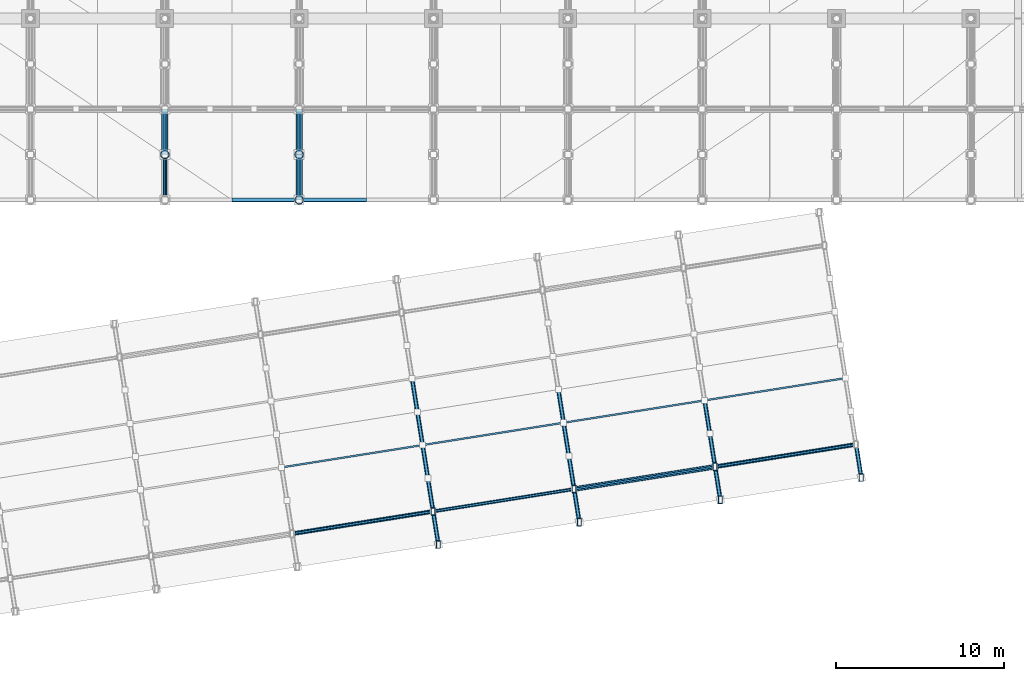
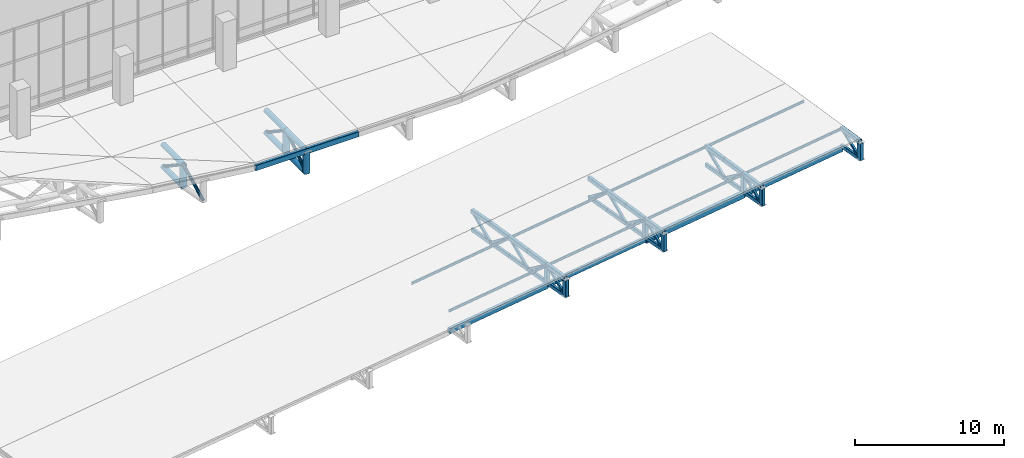
# One storey, part 21 of 137: 67 members, 5 beams.
"""IFC4 building model written with IfcOpenShell, lengths in metres."""

from ifc_helpers import new_model, si_unit, direction, frame, origin, origin_2d, place, context, subcontext, project, spatial, hollow_rectangle, hollow_circle, i_section, extrude, material, material_profile, profile_set, type_object, element, save


model = new_model("IFC4")

# Units and contexts
model_context = context("Model", 3, precision=1e-05, world=origin(), true_north=direction((0.0, 1.0)))
body_context = subcontext(model_context, "Body", "Model", "MODEL_VIEW")
ifc_project = project(units=[si_unit("LENGTHUNIT", "METRE"), si_unit("AREAUNIT", "SQUARE_METRE"), si_unit("VOLUMEUNIT", "CUBIC_METRE"), si_unit("PLANEANGLEUNIT", "RADIAN"), si_unit("MASSUNIT", "GRAM", prefix="KILO")], contexts=[model_context])

# Site, building, storey
site_placement = place(None, origin())
site = spatial("IfcSite", under=ifc_project, at=site_placement, CompositionType="ELEMENT")
building_placement = place(site_placement, origin())
building = spatial("IfcBuilding", under=site, at=building_placement, Name="Khorjan Park Terminus", CompositionType="ELEMENT")
storey_placement = place(building_placement, frame((0.0, 0.0, 11.4)))
storey = spatial("IfcBuildingStorey", under=building, at=storey_placement, Name="L02", CompositionType="ELEMENT", Elevation=11.4)

# Members
ifc_material = material(Name="Steel S355", Category="steel")
ifc_material_profile_1 = material_profile(ifc_material, hollow_rectangle(XDim=0.18, YDim=0.18, WallThickness=0.01, InnerFilletRadius=0.01, OuterFilletRadius=0.02, at=origin_2d()), Name="SHS 180x180x10")
ifc_profile_set_1 = profile_set([ifc_material_profile_1], Name="Steel S355")
member_type_1 = type_object("IfcMemberType", Name="MB-BR-SHS180E", PredefinedType="BRACE", material=ifc_profile_set_1)
member_1_placement = place(storey_placement, frame((96.2896, -5.3269, -2.0), z_axis=(-0.126923459014, 0.801549235728, 0.584302368861), x_axis=(-0.987693950393, -0.156399042059, 0.0)))
element("IfcMember", 1, at=member_1_placement, inside=storey, type_object=member_type_1, Name="Arrival canopy flat truss web brace TB-S18 (6)", PredefinedType="BRACE", context=body_context, shape_type="SweptSolid", body=[
    extrude(hollow_rectangle(XDim=0.18, YDim=0.18, WallThickness=0.01, InnerFilletRadius=0.01, OuterFilletRadius=0.02, at=origin_2d()), origin(), (0.0, 0.0, 1.0), 2.4645),
])
member_2_placement = place(storey_placement, frame((95.9768, -3.3515, -0.56), z_axis=(-0.126967511013, 0.801530599245, -0.584318363242), x_axis=(-0.987685001707, -0.156455544492, 0.0)))
element("IfcMember", 2, at=member_2_placement, inside=storey, type_object=member_type_1, Name="Arrival canopy flat truss web brace TB-S18 (6)", PredefinedType="BRACE", context=body_context, shape_type="SweptSolid", body=[
    extrude(hollow_rectangle(XDim=0.18, YDim=0.18, WallThickness=0.01, InnerFilletRadius=0.01, OuterFilletRadius=0.02, at=origin_2d()), origin(), (0.0, 0.0, 1.0), 2.4644),
])
for number, where, z_axis, x_axis, name in (
    (3, (95.6639, -1.3762, -2.0), (-0.124558474158, 0.786362447589, 0.605077918566), (-0.987686225577, -0.156447818155, 0.0), "Arrival canopy flat truss web brace TB-S18 (6)"),
    (4, (95.351, 0.5992, -0.48), (-0.124558474158, 0.786362447589, -0.605077918566), (-0.987686225577, -0.156447818155, 0.0), "Arrival canopy flat truss web brace TB-S18 (6)"),
    (5, (95.0381, 2.5746, -2.0), (-0.124519283718, 0.78636634609, 0.605080918324), (-0.987693950393, -0.156399042059, 0.0), "Arrival canopy flat truss web brace TB-S18 (6)"),
):
    element("IfcMember", number, at=place(storey_placement, frame(where, z_axis=z_axis, x_axis=x_axis)), inside=storey, type_object=member_type_1, Name=name, PredefinedType="BRACE", context=body_context, shape_type="SweptSolid", body=[
        extrude(hollow_rectangle(XDim=0.18, YDim=0.18, WallThickness=0.01, InnerFilletRadius=0.01, OuterFilletRadius=0.02, at=origin_2d()), origin(), (0.0, 0.0, 1.0), 2.5121),
    ])
member_3_placement = place(storey_placement, frame((104.685, -3.9972, -2.0), z_axis=(-0.126963381588, 0.801545107028, 0.584299359178), x_axis=(-0.987686225577, -0.156447818155, 0.0)))
element("IfcMember", 6, at=member_3_placement, inside=storey, type_object=member_type_1, Name="Arrival canopy flat truss web brace TB-S18 (7)", PredefinedType="BRACE", context=body_context, shape_type="SweptSolid", body=[
    extrude(hollow_rectangle(XDim=0.18, YDim=0.18, WallThickness=0.01, InnerFilletRadius=0.01, OuterFilletRadius=0.02, at=origin_2d()), origin(), (0.0, 0.0, 1.0), 2.4645),
])
member_4_placement = place(storey_placement, frame((104.3721, -2.0218, -0.56), z_axis=(-0.126967511013, 0.801530599245, -0.584318363242), x_axis=(-0.987685001707, -0.156455544492, 0.0)))
element("IfcMember", 7, at=member_4_placement, inside=storey, type_object=member_type_1, Name="Arrival canopy flat truss web brace TB-S18 (7)", PredefinedType="BRACE", context=body_context, shape_type="SweptSolid", body=[
    extrude(hollow_rectangle(XDim=0.18, YDim=0.18, WallThickness=0.01, InnerFilletRadius=0.01, OuterFilletRadius=0.02, at=origin_2d()), origin(), (0.0, 0.0, 1.0), 2.4644),
])
for number, where, z_axis, x_axis, name in (
    (8, (104.0592, -0.0465, -2.0), (-0.124519283718, 0.78636634609, 0.605080918324), (-0.987693950393, -0.156399042059, 0.0), "Arrival canopy flat truss web brace TB-S18 (7)"),
    (9, (103.7464, 1.9289, -0.48), (-0.124558474158, 0.786362447589, -0.605077918566), (-0.987686225577, -0.156447818155, 0.0), "Arrival canopy flat truss web brace TB-S18 (7)"),
):
    element("IfcMember", number, at=place(storey_placement, frame(where, z_axis=z_axis, x_axis=x_axis)), inside=storey, type_object=member_type_1, Name=name, PredefinedType="BRACE", context=body_context, shape_type="SweptSolid", body=[
        extrude(hollow_rectangle(XDim=0.18, YDim=0.18, WallThickness=0.01, InnerFilletRadius=0.01, OuterFilletRadius=0.02, at=origin_2d()), origin(), (0.0, 0.0, 1.0), 2.5121),
    ])
member_5_placement = place(storey_placement, frame((113.0803, -2.6675, -2.0), z_axis=(-0.126923459014, 0.801549235728, 0.584302368861), x_axis=(-0.987693950393, -0.156399042059, 0.0)))
element("IfcMember", 10, at=member_5_placement, inside=storey, type_object=member_type_1, Name="Arrival canopy flat truss web brace TB-S18 (8)", PredefinedType="BRACE", context=body_context, shape_type="SweptSolid", body=[
    extrude(hollow_rectangle(XDim=0.18, YDim=0.18, WallThickness=0.01, InnerFilletRadius=0.01, OuterFilletRadius=0.02, at=origin_2d()), origin(), (0.0, 0.0, 1.0), 2.4645),
])
member_6_placement = place(storey_placement, frame((112.7675, -0.6921, -0.56), z_axis=(-0.126967511013, 0.801530599245, -0.584318363242), x_axis=(-0.987685001707, -0.156455544492, 0.0)))
element("IfcMember", 11, at=member_6_placement, inside=storey, type_object=member_type_1, Name="Arrival canopy flat truss web brace TB-S18 (8)", PredefinedType="BRACE", context=body_context, shape_type="SweptSolid", body=[
    extrude(hollow_rectangle(XDim=0.18, YDim=0.18, WallThickness=0.01, InnerFilletRadius=0.01, OuterFilletRadius=0.02, at=origin_2d()), origin(), (0.0, 0.0, 1.0), 2.4644),
])
member_7_placement = place(storey_placement, frame((112.4546, 1.2832, -2.0), z_axis=(-0.124558474158, 0.786362447589, 0.605077918566), x_axis=(-0.987686225577, -0.156447818155, 0.0)))
element("IfcMember", 12, at=member_7_placement, inside=storey, type_object=member_type_1, Name="Arrival canopy flat truss web brace TB-S18 (8)", PredefinedType="BRACE", context=body_context, shape_type="SweptSolid", body=[
    extrude(hollow_rectangle(XDim=0.18, YDim=0.18, WallThickness=0.01, InnerFilletRadius=0.01, OuterFilletRadius=0.02, at=origin_2d()), origin(), (0.0, 0.0, 1.0), 2.5121),
])
member_8_placement = place(storey_placement, frame((121.4757, -1.3378, -2.0), z_axis=(-0.126967511013, 0.801530599245, 0.584318363242), x_axis=(-0.987685001707, -0.156455544492, 0.0)))
element("IfcMember", 13, at=member_8_placement, inside=storey, type_object=member_type_1, Name="Arrival canopy flat truss web brace TB-S18 (9)", PredefinedType="BRACE", context=body_context, shape_type="SweptSolid", body=[
    extrude(hollow_rectangle(XDim=0.18, YDim=0.18, WallThickness=0.01, InnerFilletRadius=0.01, OuterFilletRadius=0.02, at=origin_2d()), origin(), (0.0, 0.0, 1.0), 2.4644),
])
ifc_material_profile_2 = material_profile(ifc_material, hollow_circle(Radius=0.1222, WallThickness=0.0125, at=origin_2d()), Name="CHS 244.5x12.5")
ifc_profile_set_2 = profile_set([ifc_material_profile_2], Name="Steel S355")
member_type_2 = type_object("IfcMemberType", Name="MB-BRE-245", PredefinedType="BRACE", material=ifc_profile_set_2)
member_9_placement = place(storey_placement, frame((80.0, 15.2, -0.9272), z_axis=(0.0, 0.898489379818, 0.438995255502), x_axis=(-1.0, 0.0, 0.0)))
element("IfcMember", 14, at=member_9_placement, inside=storey, type_object=member_type_2, Name="Lower shell cantilever truss diagonal (5S)", PredefinedType="BRACE", context=body_context, shape_type="SweptSolid", body=[
    extrude(hollow_circle(Radius=0.1222, WallThickness=0.0125, at=origin_2d()), origin(), (0.0, 0.0, 1.0), 3.005),
])
for number, where, z_axis, x_axis, name in (
    (15, (80.0, 17.9, 0.392), (0.0, 0.832050294338, -0.554700196225), (-1.0, 0.0, 0.0), "Lower shell cantilever truss diagonal (5S)"),
    (16, (88.0, 15.2, -1.408), (0.0, 0.832050294338, 0.554700196225), (-1.0, 0.0, 0.0), "Lower shell cantilever truss diagonal (6S)"),
    (17, (88.0, 17.9, 0.392), (0.0, 0.832050294338, -0.554700196225), (-1.0, 0.0, 0.0), "Lower shell cantilever truss diagonal (6S)"),
):
    element("IfcMember", number, at=place(storey_placement, frame(where, z_axis=z_axis, x_axis=x_axis)), inside=storey, type_object=member_type_2, Name=name, PredefinedType="BRACE", context=body_context, shape_type="SweptSolid", body=[
        extrude(hollow_circle(Radius=0.1222, WallThickness=0.0125, at=origin_2d()), origin(), (0.0, 0.0, 1.0), 3.245),
    ])
ifc_material_profile_3 = material_profile(ifc_material, hollow_rectangle(XDim=0.2, YDim=0.3, WallThickness=0.0125, InnerFilletRadius=0.0125, OuterFilletRadius=0.025, at=origin_2d()), Name="RHS 300x200x12.5")
ifc_profile_set_3 = profile_set([ifc_material_profile_3], Name="Steel S355")
member_type_3 = type_object("IfcMemberType", Name="MB-CH-RHS300E", PredefinedType="CHORD", material=ifc_profile_set_3)
member_10_placement = place(storey_placement, frame((96.2896, -5.3269, -2.0), z_axis=(-0.156399042059, 0.987693950393, 0.0), x_axis=(-0.987693950393, -0.156399042059, 0.0)))
element("IfcMember", 18, at=member_10_placement, inside=storey, type_object=member_type_3, Name="Arrival canopy flat truss bottom chord TC-R30 (6)", PredefinedType="CHORD", context=body_context, shape_type="SweptSolid", body=[
    extrude(hollow_rectangle(XDim=0.2, YDim=0.3, WallThickness=0.0125, InnerFilletRadius=0.0125, OuterFilletRadius=0.025, at=origin_2d()), origin(), (0.0, 0.0, 1.0), 2.0),
])
member_11_placement = place(storey_placement, frame((95.9768, -3.3515, -2.0), z_axis=(-0.156455544492, 0.987685001707, 0.0), x_axis=(-0.987685001707, -0.156455544492, 0.0)))
element("IfcMember", 19, at=member_11_placement, inside=storey, type_object=member_type_3, Name="Arrival canopy flat truss bottom chord TC-R30 (6)", PredefinedType="CHORD", context=body_context, shape_type="SweptSolid", body=[
    extrude(hollow_rectangle(XDim=0.2, YDim=0.3, WallThickness=0.0125, InnerFilletRadius=0.0125, OuterFilletRadius=0.025, at=origin_2d()), origin(), (0.0, 0.0, 1.0), 1.9999),
])
for number, where, z_axis, x_axis, name in (
    (20, (95.6639, -1.3762, -2.0), (-0.156447818155, 0.987686225577, 0.0), (-0.987686225577, -0.156447818155, 0.0), "Arrival canopy flat truss bottom chord TC-R30 (6)"),
    (21, (95.351, 0.5992, -2.0), (-0.156447818155, 0.987686225577, 0.0), (-0.987686225577, -0.156447818155, 0.0), "Arrival canopy flat truss bottom chord TC-R30 (6)"),
    (22, (95.0381, 2.5746, -2.0), (-0.156399042059, 0.987693950393, 0.0), (-0.987693950393, -0.156399042059, 0.0), "Arrival canopy flat truss bottom chord TC-R30 (6)"),
    (23, (104.685, -3.9972, -2.0), (-0.156447818155, 0.987686225577, 0.0), (-0.987686225577, -0.156447818155, 0.0), "Arrival canopy flat truss bottom chord TC-R30 (7)"),
):
    element("IfcMember", number, at=place(storey_placement, frame(where, z_axis=z_axis, x_axis=x_axis)), inside=storey, type_object=member_type_3, Name=name, PredefinedType="CHORD", context=body_context, shape_type="SweptSolid", body=[
        extrude(hollow_rectangle(XDim=0.2, YDim=0.3, WallThickness=0.0125, InnerFilletRadius=0.0125, OuterFilletRadius=0.025, at=origin_2d()), origin(), (0.0, 0.0, 1.0), 2.0),
    ])
member_12_placement = place(storey_placement, frame((104.3721, -2.0218, -2.0), z_axis=(-0.156455544492, 0.987685001707, 0.0), x_axis=(-0.987685001707, -0.156455544492, 0.0)))
element("IfcMember", 24, at=member_12_placement, inside=storey, type_object=member_type_3, Name="Arrival canopy flat truss bottom chord TC-R30 (7)", PredefinedType="CHORD", context=body_context, shape_type="SweptSolid", body=[
    extrude(hollow_rectangle(XDim=0.2, YDim=0.3, WallThickness=0.0125, InnerFilletRadius=0.0125, OuterFilletRadius=0.025, at=origin_2d()), origin(), (0.0, 0.0, 1.0), 1.9999),
])
for number, where, z_axis, x_axis, name in (
    (25, (104.0592, -0.0465, -2.0), (-0.156399042059, 0.987693950393, 0.0), (-0.987693950393, -0.156399042059, 0.0), "Arrival canopy flat truss bottom chord TC-R30 (7)"),
    (26, (103.7464, 1.9289, -2.0), (-0.156447818155, 0.987686225577, 0.0), (-0.987686225577, -0.156447818155, 0.0), "Arrival canopy flat truss bottom chord TC-R30 (7)"),
    (27, (113.0803, -2.6675, -2.0), (-0.156399042059, 0.987693950393, 0.0), (-0.987693950393, -0.156399042059, 0.0), "Arrival canopy flat truss bottom chord TC-R30 (8)"),
):
    element("IfcMember", number, at=place(storey_placement, frame(where, z_axis=z_axis, x_axis=x_axis)), inside=storey, type_object=member_type_3, Name=name, PredefinedType="CHORD", context=body_context, shape_type="SweptSolid", body=[
        extrude(hollow_rectangle(XDim=0.2, YDim=0.3, WallThickness=0.0125, InnerFilletRadius=0.0125, OuterFilletRadius=0.025, at=origin_2d()), origin(), (0.0, 0.0, 1.0), 2.0),
    ])
member_13_placement = place(storey_placement, frame((112.7675, -0.6921, -2.0), z_axis=(-0.156455544492, 0.987685001707, 0.0), x_axis=(-0.987685001707, -0.156455544492, 0.0)))
element("IfcMember", 28, at=member_13_placement, inside=storey, type_object=member_type_3, Name="Arrival canopy flat truss bottom chord TC-R30 (8)", PredefinedType="CHORD", context=body_context, shape_type="SweptSolid", body=[
    extrude(hollow_rectangle(XDim=0.2, YDim=0.3, WallThickness=0.0125, InnerFilletRadius=0.0125, OuterFilletRadius=0.025, at=origin_2d()), origin(), (0.0, 0.0, 1.0), 1.9999),
])
member_14_placement = place(storey_placement, frame((112.4546, 1.2832, -2.0), z_axis=(-0.156447818155, 0.987686225577, 0.0), x_axis=(-0.987686225577, -0.156447818155, 0.0)))
element("IfcMember", 29, at=member_14_placement, inside=storey, type_object=member_type_3, Name="Arrival canopy flat truss bottom chord TC-R30 (8)", PredefinedType="CHORD", context=body_context, shape_type="SweptSolid", body=[
    extrude(hollow_rectangle(XDim=0.2, YDim=0.3, WallThickness=0.0125, InnerFilletRadius=0.0125, OuterFilletRadius=0.025, at=origin_2d()), origin(), (0.0, 0.0, 1.0), 2.0),
])
member_15_placement = place(storey_placement, frame((121.4757, -1.3378, -2.0), z_axis=(-0.156455544492, 0.987685001707, 0.0), x_axis=(-0.987685001707, -0.156455544492, 0.0)))
element("IfcMember", 30, at=member_15_placement, inside=storey, type_object=member_type_3, Name="Arrival canopy flat truss bottom chord TC-R30 (9)", PredefinedType="CHORD", context=body_context, shape_type="SweptSolid", body=[
    extrude(hollow_rectangle(XDim=0.2, YDim=0.3, WallThickness=0.0125, InnerFilletRadius=0.0125, OuterFilletRadius=0.025, at=origin_2d()), origin(), (0.0, 0.0, 1.0), 1.9999),
])
ifc_material_profile_4 = material_profile(ifc_material, hollow_rectangle(XDim=0.25, YDim=0.35, WallThickness=0.0125, InnerFilletRadius=0.0125, OuterFilletRadius=0.025, at=origin_2d()), Name="RHS 350x250x12.5")
ifc_profile_set_4 = profile_set([ifc_material_profile_4], Name="Steel S355")
member_type_4 = type_object("IfcMemberType", Name="MB-CH-RHS350E", PredefinedType="CHORD", material=ifc_profile_set_4)
member_16_placement = place(storey_placement, frame((96.2896, -5.3269, -0.6), z_axis=(-0.156367772014, 0.987496473263, 0.019995878774), x_axis=(-0.987693950393, -0.156399042059, 0.0)))
element("IfcMember", 31, at=member_16_placement, inside=storey, type_object=member_type_4, Name="Arrival canopy flat truss top chord TC-R35 (6)", PredefinedType="CHORD", context=body_context, shape_type="SweptSolid", body=[
    extrude(hollow_rectangle(XDim=0.25, YDim=0.35, WallThickness=0.0125, InnerFilletRadius=0.0125, OuterFilletRadius=0.025, at=origin_2d()), origin(), (0.0, 0.0, 1.0), 2.0004),
])
member_17_placement = place(storey_placement, frame((95.9768, -3.3515, -0.56), z_axis=(-0.15642426055, 0.987487509955, 0.019996709562), x_axis=(-0.987685001707, -0.156455544492, 0.0)))
element("IfcMember", 32, at=member_17_placement, inside=storey, type_object=member_type_4, Name="Arrival canopy flat truss top chord TC-R35 (6)", PredefinedType="CHORD", context=body_context, shape_type="SweptSolid", body=[
    extrude(hollow_rectangle(XDim=0.25, YDim=0.35, WallThickness=0.0125, InnerFilletRadius=0.0125, OuterFilletRadius=0.025, at=origin_2d()), origin(), (0.0, 0.0, 1.0), 2.0003),
])
for number, where, z_axis, x_axis, name in (
    (33, (95.6639, -1.3762, -0.52), (-0.156416538847, 0.98748875308, 0.019995722448), (-0.987686225577, -0.156447818155, 0.0), "Arrival canopy flat truss top chord TC-R35 (6)"),
    (34, (95.351, 0.5992, -0.48), (-0.156416538847, 0.98748875308, 0.019995722448), (-0.987686225577, -0.156447818155, 0.0), "Arrival canopy flat truss top chord TC-R35 (6)"),
    (35, (95.0381, 2.5746, -0.44), (-0.156367772014, 0.987496473263, -0.019995878774), (-0.987693950393, -0.156399042059, 0.0), "Arrival canopy flat truss top chord TC-R35 (6)"),
    (36, (104.685, -3.9972, -0.6), (-0.156416538847, 0.98748875308, 0.019995722448), (-0.987686225577, -0.156447818155, 0.0), "Arrival canopy flat truss top chord TC-R35 (7)"),
):
    element("IfcMember", number, at=place(storey_placement, frame(where, z_axis=z_axis, x_axis=x_axis)), inside=storey, type_object=member_type_4, Name=name, PredefinedType="CHORD", context=body_context, shape_type="SweptSolid", body=[
        extrude(hollow_rectangle(XDim=0.25, YDim=0.35, WallThickness=0.0125, InnerFilletRadius=0.0125, OuterFilletRadius=0.025, at=origin_2d()), origin(), (0.0, 0.0, 1.0), 2.0004),
    ])
member_18_placement = place(storey_placement, frame((104.3721, -2.0218, -0.56), z_axis=(-0.15642426055, 0.987487509955, 0.019996709562), x_axis=(-0.987685001707, -0.156455544492, 0.0)))
element("IfcMember", 37, at=member_18_placement, inside=storey, type_object=member_type_4, Name="Arrival canopy flat truss top chord TC-R35 (7)", PredefinedType="CHORD", context=body_context, shape_type="SweptSolid", body=[
    extrude(hollow_rectangle(XDim=0.25, YDim=0.35, WallThickness=0.0125, InnerFilletRadius=0.0125, OuterFilletRadius=0.025, at=origin_2d()), origin(), (0.0, 0.0, 1.0), 2.0003),
])
for number, where, z_axis, x_axis, name in (
    (38, (104.0592, -0.0465, -0.52), (-0.156367772014, 0.987496473263, 0.019995878774), (-0.987693950393, -0.156399042059, 0.0), "Arrival canopy flat truss top chord TC-R35 (7)"),
    (39, (103.7464, 1.9289, -0.48), (-0.156416538847, 0.98748875308, 0.019995722448), (-0.987686225577, -0.156447818155, 0.0), "Arrival canopy flat truss top chord TC-R35 (7)"),
    (40, (113.0803, -2.6675, -0.6), (-0.156367772014, 0.987496473263, 0.019995878774), (-0.987693950393, -0.156399042059, 0.0), "Arrival canopy flat truss top chord TC-R35 (8)"),
):
    element("IfcMember", number, at=place(storey_placement, frame(where, z_axis=z_axis, x_axis=x_axis)), inside=storey, type_object=member_type_4, Name=name, PredefinedType="CHORD", context=body_context, shape_type="SweptSolid", body=[
        extrude(hollow_rectangle(XDim=0.25, YDim=0.35, WallThickness=0.0125, InnerFilletRadius=0.0125, OuterFilletRadius=0.025, at=origin_2d()), origin(), (0.0, 0.0, 1.0), 2.0004),
    ])
member_19_placement = place(storey_placement, frame((112.7675, -0.6921, -0.56), z_axis=(-0.15642426055, 0.987487509955, 0.019996709562), x_axis=(-0.987685001707, -0.156455544492, 0.0)))
element("IfcMember", 41, at=member_19_placement, inside=storey, type_object=member_type_4, Name="Arrival canopy flat truss top chord TC-R35 (8)", PredefinedType="CHORD", context=body_context, shape_type="SweptSolid", body=[
    extrude(hollow_rectangle(XDim=0.25, YDim=0.35, WallThickness=0.0125, InnerFilletRadius=0.0125, OuterFilletRadius=0.025, at=origin_2d()), origin(), (0.0, 0.0, 1.0), 2.0003),
])
member_20_placement = place(storey_placement, frame((112.4546, 1.2832, -0.52), z_axis=(-0.156416538847, 0.98748875308, 0.019995722448), x_axis=(-0.987686225577, -0.156447818155, 0.0)))
element("IfcMember", 42, at=member_20_placement, inside=storey, type_object=member_type_4, Name="Arrival canopy flat truss top chord TC-R35 (8)", PredefinedType="CHORD", context=body_context, shape_type="SweptSolid", body=[
    extrude(hollow_rectangle(XDim=0.25, YDim=0.35, WallThickness=0.0125, InnerFilletRadius=0.0125, OuterFilletRadius=0.025, at=origin_2d()), origin(), (0.0, 0.0, 1.0), 2.0004),
])
member_21_placement = place(storey_placement, frame((121.4757, -1.3378, -0.6), z_axis=(-0.15642426055, 0.987487509955, 0.019996709562), x_axis=(-0.987685001707, -0.156455544492, 0.0)))
element("IfcMember", 43, at=member_21_placement, inside=storey, type_object=member_type_4, Name="Arrival canopy flat truss top chord TC-R35 (9)", PredefinedType="CHORD", context=body_context, shape_type="SweptSolid", body=[
    extrude(hollow_rectangle(XDim=0.25, YDim=0.35, WallThickness=0.0125, InnerFilletRadius=0.0125, OuterFilletRadius=0.025, at=origin_2d()), origin(), (0.0, 0.0, 1.0), 2.0003),
])
ifc_material_profile_5 = material_profile(ifc_material, hollow_circle(Radius=0.2032, WallThickness=0.016, at=origin_2d()), Name="CHS 406.4x16")
ifc_profile_set_5 = profile_set([ifc_material_profile_5], Name="Steel S355")
member_type_5 = type_object("IfcMemberType", Name="MB-CHE-406", PredefinedType="CHORD", material=ifc_profile_set_5)
for number, where, z_axis, x_axis, name in (
    (44, (80.0, 17.9, 0.392), (0.0, 1.0, 0.0), (-1.0, 0.0, 0.0), "Lower shell cantilever truss top chord (5S)"),
    (45, (80.0, 17.9, -1.408), (0.0, 1.0, 0.0), (-1.0, 0.0, 0.0), "Lower shell cantilever truss bottom chord (5S)"),
    (46, (88.0, 15.2, 0.392), (0.0, 1.0, 0.0), (-1.0, 0.0, 0.0), "Lower shell cantilever truss top chord (6S)"),
    (47, (88.0, 15.2, -1.408), (0.0, 1.0, 0.0), (-1.0, 0.0, 0.0), "Lower shell cantilever truss bottom chord (6S)"),
    (48, (88.0, 17.9, 0.392), (0.0, 1.0, 0.0), (-1.0, 0.0, 0.0), "Lower shell cantilever truss top chord (6S)"),
    (49, (88.0, 17.9, -1.408), (0.0, 1.0, 0.0), (-1.0, 0.0, 0.0), "Lower shell cantilever truss bottom chord (6S)"),
):
    element("IfcMember", number, at=place(storey_placement, frame(where, z_axis=z_axis, x_axis=x_axis)), inside=storey, type_object=member_type_5, Name=name, PredefinedType="CHORD", context=body_context, shape_type="SweptSolid", body=[
        extrude(hollow_circle(Radius=0.2032, WallThickness=0.016, at=origin_2d()), origin(), (0.0, 0.0, 1.0), 2.7),
    ])
ifc_material_profile_6 = material_profile(ifc_material, i_section(OverallWidth=0.1, OverallDepth=0.2, WebThickness=0.0056, FlangeThickness=0.0085, FilletRadius=0.012, at=origin_2d()), Name="IPE 200")
ifc_profile_set_6 = profile_set([ifc_material_profile_6], Name="Steel S355")
member_type_6 = type_object("IfcMemberType", Name="MB-PRE-IPE200", PredefinedType="PURLIN", material=ifc_profile_set_6)
for number, where, z_axis, x_axis, name in (
    (50, (87.5814, -4.6812, -0.61), (0.98768835387, 0.156434381226, 0.0), (-0.156434381226, 0.98768835387, 0.0), "Arrival canopy roof purlin PRE-20 (5)"),
    (51, (86.9557, -0.7305, -0.53), (0.987688065964, 0.156436198982, 0.0), (-0.156436198982, 0.987688065964, 0.0), "Arrival canopy roof purlin PRE-20 (5)"),
    (52, (95.9768, -3.3515, -0.61), (0.987688065964, 0.156436198982, 0.0), (-0.156436198982, 0.987688065964, 0.0), "Arrival canopy roof purlin PRE-20 (6)"),
    (53, (95.351, 0.5992, -0.53), (0.98768835387, 0.156434381226, 0.0), (-0.156434381226, 0.98768835387, 0.0), "Arrival canopy roof purlin PRE-20 (6)"),
    (54, (104.3721, -2.0218, -0.61), (0.98768835387, 0.156434381226, 0.0), (-0.156434381226, 0.98768835387, 0.0), "Arrival canopy roof purlin PRE-20 (7)"),
    (55, (103.7464, 1.9289, -0.53), (0.987688065964, 0.156436198982, 0.0), (-0.156436198982, 0.987688065964, 0.0), "Arrival canopy roof purlin PRE-20 (7)"),
):
    element("IfcMember", number, at=place(storey_placement, frame(where, z_axis=z_axis, x_axis=x_axis)), inside=storey, type_object=member_type_6, Name=name, PredefinedType="PURLIN", context=body_context, shape_type="SweptSolid", body=[
        extrude(i_section(OverallWidth=0.1, OverallDepth=0.2, WebThickness=0.0056, FlangeThickness=0.0085, FilletRadius=0.012, at=origin_2d()), origin(), (0.0, 0.0, 1.0), 8.5),
    ])
member_22_placement = place(storey_placement, frame((112.7675, -0.6921, -0.61), z_axis=(0.987689883678, 0.156424722087, 0.0), x_axis=(-0.156424722087, 0.987689883678, 0.0)))
element("IfcMember", 56, at=member_22_placement, inside=storey, type_object=member_type_6, Name="Arrival canopy roof purlin PRE-20 (8)", PredefinedType="PURLIN", context=body_context, shape_type="SweptSolid", body=[
    extrude(i_section(OverallWidth=0.1, OverallDepth=0.2, WebThickness=0.0056, FlangeThickness=0.0085, FilletRadius=0.012, at=origin_2d()), origin(), (0.0, 0.0, 1.0), 8.4999),
])
member_23_placement = place(storey_placement, frame((112.1417, 3.2586, -0.53), z_axis=(0.98768835387, 0.156434381226, 0.0), x_axis=(-0.156434381226, 0.98768835387, 0.0)))
element("IfcMember", 57, at=member_23_placement, inside=storey, type_object=member_type_6, Name="Arrival canopy roof purlin PRE-20 (8)", PredefinedType="PURLIN", context=body_context, shape_type="SweptSolid", body=[
    extrude(i_section(OverallWidth=0.1, OverallDepth=0.2, WebThickness=0.0056, FlangeThickness=0.0085, FilletRadius=0.012, at=origin_2d()), origin(), (0.0, 0.0, 1.0), 8.5),
])
ifc_material_profile_7 = material_profile(ifc_material, hollow_circle(Radius=0.254, WallThickness=0.02, at=origin_2d()), Name="CHS 508x20")
ifc_profile_set_7 = profile_set([ifc_material_profile_7], Name="Steel S355")
member_type_7 = type_object("IfcMemberType", Name="MB-STE-508", PredefinedType="STRUT", material=ifc_profile_set_7)
for number, where, z_axis, x_axis, name in (
    (58, (80.0, 17.9, -1.408), (0.0, 0.0, 1.0), (1.0, 0.0, 0.0), "Lower shell cantilever truss post (5S)"),
    (59, (88.0, 15.2, -1.408), (0.0, 0.0, 1.0), (1.0, 0.0, 0.0), "Lower shell cantilever truss post (6S)"),
    (60, (88.0, 17.9, -1.408), (0.0, 0.0, 1.0), (1.0, 0.0, 0.0), "Lower shell cantilever truss post (6S)"),
):
    element("IfcMember", number, at=place(storey_placement, frame(where, z_axis=z_axis, x_axis=x_axis)), inside=storey, type_object=member_type_7, Name=name, PredefinedType="STRUT", context=body_context, shape_type="SweptSolid", body=[
        extrude(hollow_circle(Radius=0.254, WallThickness=0.02, at=origin_2d()), origin(), (0.0, 0.0, 1.0), 1.8),
    ])
ifc_material_profile_8 = material_profile(ifc_material, hollow_rectangle(XDim=0.25, YDim=0.45, WallThickness=0.016, InnerFilletRadius=0.016, OuterFilletRadius=0.032, at=origin_2d()), Name="RHS 450x250x16")
ifc_profile_set_8 = profile_set([ifc_material_profile_8], Name="Steel S355")
member_type_8 = type_object("IfcMemberType", Name="MB-STE-RHS250", PredefinedType="STRUT", material=ifc_profile_set_8)
member_24_placement = place(storey_placement, frame((96.2896, -5.3269, -2.0), z_axis=(0.0, 0.0, 1.0), x_axis=(1.0, 0.0, 0.0)))
element("IfcMember", 61, at=member_24_placement, inside=storey, type_object=member_type_8, Name="Arrival canopy truss post STE-R25 (6S)", PredefinedType="STRUT", context=body_context, shape_type="SweptSolid", body=[
    extrude(hollow_rectangle(XDim=0.25, YDim=0.45, WallThickness=0.016, InnerFilletRadius=0.016, OuterFilletRadius=0.032, at=origin_2d()), origin(), (0.0, 0.0, 1.0), 1.4),
])
member_25_placement = place(storey_placement, frame((95.9768, -3.3515, -2.0), z_axis=(0.0, 0.0, 1.0), x_axis=(1.0, 0.0, 0.0)))
element("IfcMember", 62, at=member_25_placement, inside=storey, type_object=member_type_8, Name="Arrival canopy truss post STE-R25 (6CS)", PredefinedType="STRUT", context=body_context, shape_type="SweptSolid", body=[
    extrude(hollow_rectangle(XDim=0.25, YDim=0.45, WallThickness=0.016, InnerFilletRadius=0.016, OuterFilletRadius=0.032, at=origin_2d()), origin(), (0.0, 0.0, 1.0), 1.44),
])
member_26_placement = place(storey_placement, frame((104.685, -3.9972, -2.0), z_axis=(0.0, 0.0, 1.0), x_axis=(1.0, 0.0, 0.0)))
element("IfcMember", 63, at=member_26_placement, inside=storey, type_object=member_type_8, Name="Arrival canopy truss post STE-R25 (7S)", PredefinedType="STRUT", context=body_context, shape_type="SweptSolid", body=[
    extrude(hollow_rectangle(XDim=0.25, YDim=0.45, WallThickness=0.016, InnerFilletRadius=0.016, OuterFilletRadius=0.032, at=origin_2d()), origin(), (0.0, 0.0, 1.0), 1.4),
])
member_27_placement = place(storey_placement, frame((104.3721, -2.0218, -2.0), z_axis=(0.0, 0.0, 1.0), x_axis=(1.0, 0.0, 0.0)))
element("IfcMember", 64, at=member_27_placement, inside=storey, type_object=member_type_8, Name="Arrival canopy truss post STE-R25 (7CS)", PredefinedType="STRUT", context=body_context, shape_type="SweptSolid", body=[
    extrude(hollow_rectangle(XDim=0.25, YDim=0.45, WallThickness=0.016, InnerFilletRadius=0.016, OuterFilletRadius=0.032, at=origin_2d()), origin(), (0.0, 0.0, 1.0), 1.44),
])
member_28_placement = place(storey_placement, frame((113.0803, -2.6675, -2.0), z_axis=(0.0, 0.0, 1.0), x_axis=(1.0, 0.0, 0.0)))
element("IfcMember", 65, at=member_28_placement, inside=storey, type_object=member_type_8, Name="Arrival canopy truss post STE-R25 (8S)", PredefinedType="STRUT", context=body_context, shape_type="SweptSolid", body=[
    extrude(hollow_rectangle(XDim=0.25, YDim=0.45, WallThickness=0.016, InnerFilletRadius=0.016, OuterFilletRadius=0.032, at=origin_2d()), origin(), (0.0, 0.0, 1.0), 1.4),
])
member_29_placement = place(storey_placement, frame((112.7675, -0.6921, -2.0), z_axis=(0.0, 0.0, 1.0), x_axis=(1.0, 0.0, 0.0)))
element("IfcMember", 66, at=member_29_placement, inside=storey, type_object=member_type_8, Name="Arrival canopy truss post STE-R25 (8CS)", PredefinedType="STRUT", context=body_context, shape_type="SweptSolid", body=[
    extrude(hollow_rectangle(XDim=0.25, YDim=0.45, WallThickness=0.016, InnerFilletRadius=0.016, OuterFilletRadius=0.032, at=origin_2d()), origin(), (0.0, 0.0, 1.0), 1.44),
])
member_30_placement = place(storey_placement, frame((121.4757, -1.3378, -2.0), z_axis=(0.0, 0.0, 1.0), x_axis=(1.0, 0.0, 0.0)))
element("IfcMember", 67, at=member_30_placement, inside=storey, type_object=member_type_8, Name="Arrival canopy truss post STE-R25 (9S)", PredefinedType="STRUT", context=body_context, shape_type="SweptSolid", body=[
    extrude(hollow_rectangle(XDim=0.25, YDim=0.45, WallThickness=0.016, InnerFilletRadius=0.016, OuterFilletRadius=0.032, at=origin_2d()), origin(), (0.0, 0.0, 1.0), 1.4),
])

# Beams
ifc_material_profile_9 = material_profile(ifc_material, hollow_rectangle(XDim=0.2, YDim=0.4, WallThickness=0.0125, InnerFilletRadius=0.0125, OuterFilletRadius=0.025, at=origin_2d()), Name="RHS 400x200x12.5")
ifc_profile_set_9 = profile_set([ifc_material_profile_9], Name="Steel S355")
beam_type_1 = type_object("IfcBeamType", Name="SP-RHS400", PredefinedType="SPANDREL", material=ifc_profile_set_9)
beam_1_placement = place(storey_placement, frame((95.9768, -3.3515, -2.2), z_axis=(0.987688065964, 0.156436198982, 0.0), x_axis=(-0.156436198982, 0.987688065964, 0.0)))
element("IfcBeam", 68, at=beam_1_placement, inside=storey, type_object=beam_type_1, Name="Arrival canopy tie beam SP-R40 (S6)", PredefinedType="SPANDREL", context=body_context, shape_type="SweptSolid", body=[
    extrude(hollow_rectangle(XDim=0.2, YDim=0.4, WallThickness=0.0125, InnerFilletRadius=0.0125, OuterFilletRadius=0.025, at=origin_2d()), origin(), (0.0, 0.0, 1.0), 8.5),
])
ifc_material_profile_10 = material_profile(ifc_material, hollow_rectangle(XDim=0.25, YDim=0.45, WallThickness=0.016, InnerFilletRadius=0.016, OuterFilletRadius=0.032, at=origin_2d()), Name="RHS 450x250x16")
ifc_profile_set_10 = profile_set([ifc_material_profile_10], Name="Steel S355")
beam_type_2 = type_object("IfcBeamType", Name="SP-RHS450", PredefinedType="SPANDREL", material=ifc_profile_set_10)
beam_2_placement = place(storey_placement, frame((84.0, 15.2, 0.37), z_axis=(1.0, 0.0, 0.0), x_axis=(0.0, 1.0, 0.0)))
element("IfcBeam", 69, at=beam_2_placement, inside=storey, type_object=beam_type_2, Name="Lower wrapping shell upturned edge beam SP-R45 (8)", PredefinedType="SPANDREL", context=body_context, shape_type="SweptSolid", body=[
    extrude(hollow_rectangle(XDim=0.25, YDim=0.45, WallThickness=0.016, InnerFilletRadius=0.016, OuterFilletRadius=0.032, at=origin_2d()), origin(), (0.0, 0.0, 1.0), 8.0),
])
beam_3_placement = place(storey_placement, frame((87.5814, -4.6812, -2.225), z_axis=(0.98768835387, 0.156434381226, 0.0), x_axis=(-0.156434381226, 0.98768835387, 0.0)))
element("IfcBeam", 70, at=beam_3_placement, inside=storey, type_object=beam_type_2, Name="Arrival canopy tie beam SP-R45 (S5)", PredefinedType="SPANDREL", context=body_context, shape_type="SweptSolid", body=[
    extrude(hollow_rectangle(XDim=0.25, YDim=0.45, WallThickness=0.016, InnerFilletRadius=0.016, OuterFilletRadius=0.032, at=origin_2d()), origin(), (0.0, 0.0, 1.0), 8.5),
])
beam_4_placement = place(storey_placement, frame((112.7675, -0.6921, -2.225), z_axis=(0.987689883678, 0.156424722087, 0.0), x_axis=(-0.156424722087, 0.987689883678, 0.0)))
element("IfcBeam", 71, at=beam_4_placement, inside=storey, type_object=beam_type_2, Name="Arrival canopy tie beam SP-R45 (S8)", PredefinedType="SPANDREL", context=body_context, shape_type="SweptSolid", body=[
    extrude(hollow_rectangle(XDim=0.25, YDim=0.45, WallThickness=0.016, InnerFilletRadius=0.016, OuterFilletRadius=0.032, at=origin_2d()), origin(), (0.0, 0.0, 1.0), 8.4999),
])
ifc_material_profile_11 = material_profile(ifc_material, hollow_rectangle(XDim=0.3, YDim=0.5, WallThickness=0.016, InnerFilletRadius=0.016, OuterFilletRadius=0.032, at=origin_2d()), Name="RHS 500x300x16")
ifc_profile_set_11 = profile_set([ifc_material_profile_11], Name="Steel S355")
beam_type_3 = type_object("IfcBeamType", Name="SP-RHS500", PredefinedType="SPANDREL", material=ifc_profile_set_11)
beam_5_placement = place(storey_placement, frame((104.3721, -2.0218, -2.25), z_axis=(0.98768835387, 0.156434381226, 0.0), x_axis=(-0.156434381226, 0.98768835387, 0.0)))
element("IfcBeam", 72, at=beam_5_placement, inside=storey, type_object=beam_type_3, Name="Arrival canopy tie beam SP-R50 (S7)", PredefinedType="SPANDREL", context=body_context, shape_type="SweptSolid", body=[
    extrude(hollow_rectangle(XDim=0.3, YDim=0.5, WallThickness=0.016, InnerFilletRadius=0.016, OuterFilletRadius=0.032, at=origin_2d()), origin(), (0.0, 0.0, 1.0), 8.5),
])

save(model, "model.ifc")
